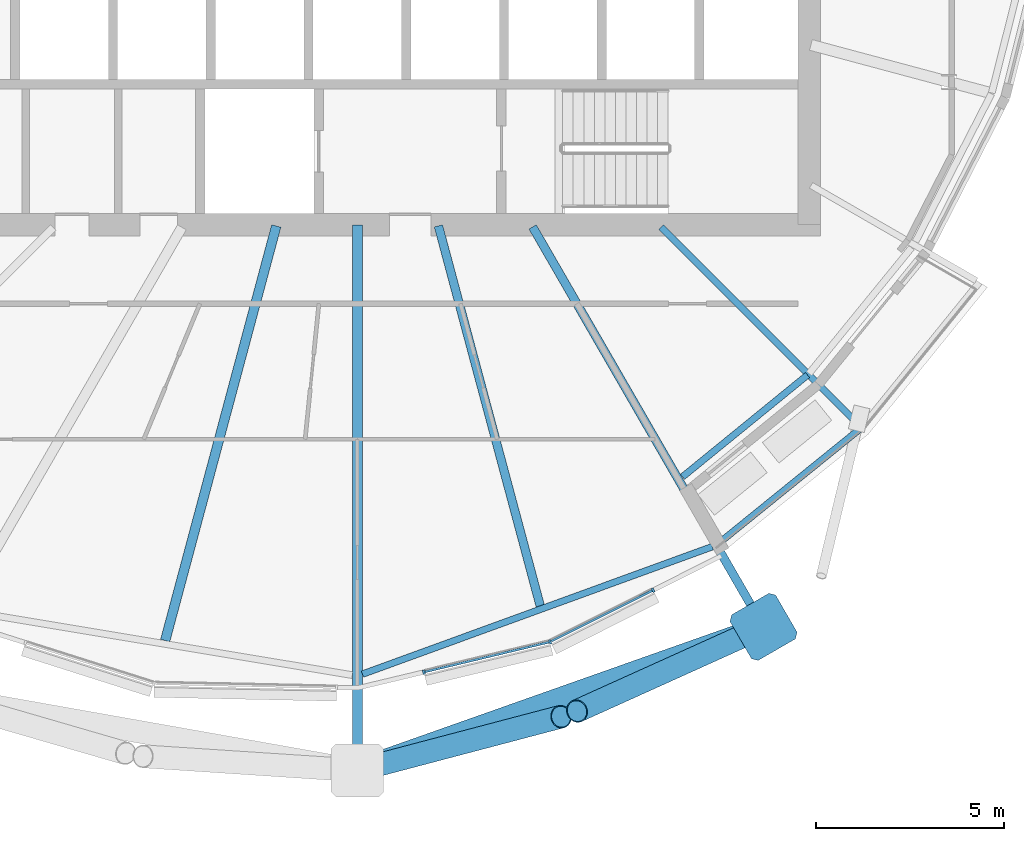
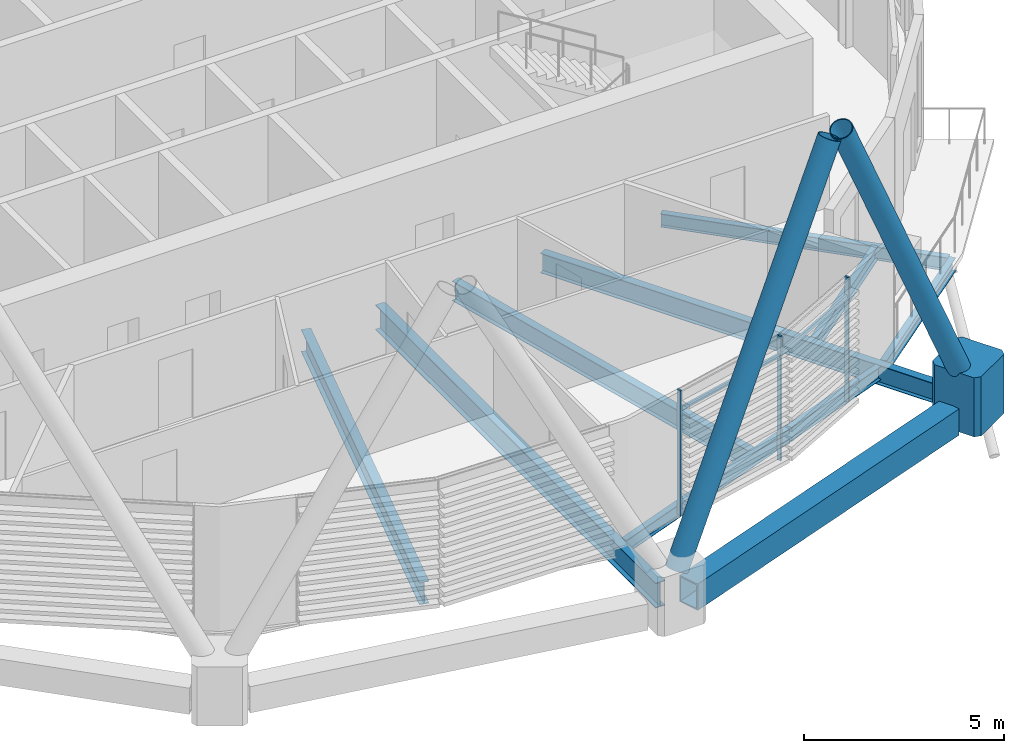
# One storey, part 14 of 36: 9 beams, 8 members, 1 element without a shape of its own.
"""IFC4 building model written with IfcOpenShell, lengths in metres."""

from ifc_helpers import new_model, si_unit, direction, frame, origin, origin_2d, place, context, subcontext, project, spatial, polyline, rectangle, hollow_rectangle, hollow_circle, i_section, outline, extrude, material, material_profile, profile_set, type_object, element, aggregate, save


model = new_model("IFC4")

# Units and contexts
model_context = context("Model", 3, precision=1e-05, world=origin(), true_north=direction((0.0, 1.0)))
body_context = subcontext(model_context, "Body", "Model", "MODEL_VIEW")
ifc_project = project(units=[si_unit("LENGTHUNIT", "METRE"), si_unit("AREAUNIT", "SQUARE_METRE"), si_unit("VOLUMEUNIT", "CUBIC_METRE"), si_unit("PLANEANGLEUNIT", "RADIAN"), si_unit("MASSUNIT", "GRAM", prefix="KILO")], contexts=[model_context])

# Site, building, storey
site_placement = place(None, origin())
site = spatial("IfcSite", under=ifc_project, at=site_placement, CompositionType="ELEMENT")
building_placement = place(site_placement, origin())
building = spatial("IfcBuilding", under=site, at=building_placement, Name="Rimbun Link Towers", CompositionType="ELEMENT")
storey_placement = place(building_placement, frame((0.0, 0.0, 193.10009765625)))
storey = spatial("IfcBuildingStorey", under=building, at=storey_placement, Name="L47", CompositionType="ELEMENT", Elevation=193.10009765625)

# Curtain wall, members
ifc_material_1 = material(Name="Aluminium 6063-T6 and low-iron glass", Category="aluminium")
curtain_wall_type = type_object("IfcCurtainWallType", Name="CW1-Z3 unitised vision wall (zone 3)", PredefinedType="NOTDEFINED", material=ifc_material_1)
curtain_wall_placement = place(storey_placement, origin())
curtain_wall = element("IfcCurtainWall", 1, at=curtain_wall_placement, inside=storey, type_object=curtain_wall_type, Name="CW1 L47 T2", PredefinedType="NOTDEFINED")
ifc_material_2 = material(Name="Aluminium 6063-T6", Category="aluminium")
ifc_material_profile_1 = material_profile(ifc_material_2, rectangle(XDim=0.1201171875, YDim=0.06005859375, at=origin_2d()), Name="MULLION 60X120")
ifc_profile_set_1 = profile_set([ifc_material_profile_1], Name="Aluminium 6063-T6")
member_type_1 = type_object("IfcMemberType", Name="CW1 mullion 60X120", PredefinedType="MULLION", material=ifc_profile_set_1)
member_1_placement = place(storey_placement, frame((36.865966796875, -19.07275390625, 0.0), z_axis=(0.0, 0.0, 1.0), x_axis=(0.342971734757, -0.939345723979, 0.0)))
member_1 = element("IfcMember", 2, at=member_1_placement, type_object=member_type_1, Name="CW1 mullion", PredefinedType="MULLION", context=body_context, shape_type="SweptSolid", body=[
    extrude(rectangle(XDim=0.1201171875, YDim=0.06005859375, at=origin_2d()), origin(), (0.0, 0.0, 1.0), 3.7998046875),
])
member_2_placement = place(storey_placement, frame((33.5146484375, -19.874755859375, 0.0), z_axis=(0.0, 0.0, 1.0), x_axis=(0.23261560244, -0.972568754126, 0.0)))
member_2 = element("IfcMember", 3, at=member_2_placement, type_object=member_type_1, Name="CW1 mullion", PredefinedType="MULLION", context=body_context, shape_type="SweptSolid", body=[
    extrude(rectangle(XDim=0.1201171875, YDim=0.06005859375, at=origin_2d()), origin(), (0.0, 0.0, 1.0), 3.7998046875),
])
member_3_placement = place(storey_placement, frame((39.6015625, -17.699462890625, 0.0), z_axis=(0.0, 0.0, 1.0), x_axis=(0.448772432233, -0.893646073156, 0.0)))
member_3 = element("IfcMember", 4, at=member_3_placement, type_object=member_type_1, Name="CW1 mullion", PredefinedType="MULLION", context=body_context, shape_type="SweptSolid", body=[
    extrude(rectangle(XDim=0.1201171875, YDim=0.06005859375, at=origin_2d()), origin(), (0.0, 0.0, 1.0), 3.7998046875),
])
ifc_material_3 = material(Name="Aluminium 6063-T6", Category="aluminium")
ifc_material_profile_2 = material_profile(ifc_material_3, rectangle(XDim=0.06005859375, YDim=0.1201171875, at=origin_2d()), Name="TRANSOM 60X120")
ifc_profile_set_2 = profile_set([ifc_material_profile_2], Name="Aluminium 6063-T6")
member_type_2 = type_object("IfcMemberType", Name="CW1 transom 60X120", PredefinedType="USERDEFINED", material=ifc_profile_set_2)
member_4_placement = place(storey_placement, frame((36.829833984375, -19.079833984375, 3.199951171875), z_axis=(-0.972581733642, -0.232561328227, 0.0), x_axis=(0.232561328227, -0.972581733642, 0.0)))
member_4 = element("IfcMember", 5, at=member_4_placement, type_object=member_type_2, Name="CW1 transom", ObjectType="TRANSOM", PredefinedType="USERDEFINED", context=body_context, shape_type="SweptSolid", body=[
    extrude(rectangle(XDim=0.06005859375, YDim=0.1201171875, at=origin_2d()), origin(), (0.0, 0.0, 1.0), 3.37939453125),
])
member_5_placement = place(storey_placement, frame((39.573974609375, -17.711181640625, 3.199951171875), z_axis=(-0.893675766865, -0.448713297907, 0.0), x_axis=(0.448713297907, -0.893675766865, 0.0)))
member_5 = element("IfcMember", 6, at=member_5_placement, type_object=member_type_2, Name="CW1 transom", ObjectType="TRANSOM", PredefinedType="USERDEFINED", context=body_context, shape_type="SweptSolid", body=[
    extrude(rectangle(XDim=0.06005859375, YDim=0.1201171875, at=origin_2d()), origin(), (0.0, 0.0, 1.0), 2.994140625),
])
aggregate(curtain_wall, [member_1, member_2, member_3, member_4, member_5])

# Members
ifc_material_4 = material(Name="Steel S355J2H", Category="steel")
ifc_material_profile_3 = material_profile(ifc_material_4, hollow_circle(Radius=0.3046875, WallThickness=0.02490234375, at=origin_2d()), Name="Diagrid diagonal CHS 610x25")
ifc_profile_set_3 = profile_set([ifc_material_profile_3], Name="Steel S355J2H")
member_type_3 = type_object("IfcMemberType", Name="Diagrid diagonal CHS 610x25", PredefinedType="BRACE", material=ifc_profile_set_3)
member_6_placement = place(storey_placement, frame((31.9697265625, -22.42724609375, 0.4453125), z_axis=(0.439677917546, 0.115847372251, 0.890652971232), x_axis=(-0.254786717155, 0.966997274433, 0.0)))
element("IfcMember", 7, at=member_6_placement, inside=storey, type_object=member_type_3, Name="Diagrid diagonal T2 L47-L50 15b", PredefinedType="BRACE", context=body_context, shape_type="SweptSolid", body=[
    extrude(hollow_circle(Radius=0.3046875, WallThickness=0.02490234375, at=origin_2d()), origin(), (0.0, 0.0, 1.0), 11.799560546875),
])
member_7_placement = place(storey_placement, frame((42.3291015625, -18.765869140625, 0.44775390625), z_axis=(-0.405010586719, -0.182933529453, 0.895824619246), x_axis=(0.411634423405, -0.911349055778, 0.0)))
element("IfcMember", 8, at=member_7_placement, inside=storey, type_object=member_type_3, Name="Diagrid diagonal T2 L47-L50 17a", PredefinedType="BRACE", context=body_context, shape_type="SweptSolid", body=[
    extrude(hollow_circle(Radius=0.3046875, WallThickness=0.02490234375, at=origin_2d()), origin(), (0.0, 0.0, 1.0), 11.7255859375),
])
ifc_material_5 = material(Name="Cast steel G20Mn5+QT, Rp0.2 300 MPa", Category="steel")
ifc_material_profile_4 = material_profile(ifc_material_5, outline(polyline([(0.699951171875, -0.570068359375), (0.699951171875, 0.570068359375), (0.570068359375, 0.699951171875), (-0.570068359375, 0.699951171875), (-0.699951171875, 0.570068359375), (-0.699951171875, -0.570068359375), (-0.570068359375, -0.699951171875), (0.570068359375, -0.699951171875), (0.699951171875, -0.570068359375)])), Name="NODE 1400x1400")
ifc_profile_set_4 = profile_set([ifc_material_profile_4], Name="Cast steel G20Mn5+QT, Rp0.2 300 MPa")
member_type_4 = type_object("IfcMemberType", Name="Diagrid node cast 1400", PredefinedType="USERDEFINED", material=ifc_profile_set_4)
member_8_placement = place(storey_placement, frame((42.53173828125, -18.67431640625, -0.900146484375), z_axis=(0.0, 0.0, 1.0), x_axis=(0.5, -0.866025403784, 0.0)))
element("IfcMember", 9, at=member_8_placement, inside=storey, type_object=member_type_4, Name="Diagrid node L47 17", ObjectType="Diagrid node", PredefinedType="USERDEFINED", context=body_context, shape_type="SweptSolid", body=[
    extrude(outline(polyline([(0.699951171875, -0.570068359375), (0.699951171875, 0.570068359375), (0.570068359375, 0.699951171875), (-0.570068359375, 0.699951171875), (-0.699951171875, 0.570068359375), (-0.699951171875, -0.570068359375), (-0.570068359375, -0.699951171875), (0.570068359375, -0.699951171875), (0.699951171875, -0.570068359375)])), origin(), (0.0, 0.0, 1.0), 1.800048828125),
])

# Beams
ifc_material_6 = material(Name="Steel S355J2", Category="steel")
ifc_material_profile_5 = material_profile(ifc_material_6, hollow_rectangle(XDim=0.60009765625, YDim=0.800048828125, WallThickness=0.0400390625, at=origin_2d()), Name="Exoskeleton ring girder BOX 600x800x40")
ifc_profile_set_5 = profile_set([ifc_material_profile_5], Name="Steel S355J2")
beam_type_1 = type_object("IfcBeamType", Name="Exoskeleton ring girder BOX 600x800x40", PredefinedType="BEAM", material=ifc_profile_set_5)
beam_1_placement = place(storey_placement, frame((32.409912109375, -22.251708984375, -0.56005859375), z_axis=(0.942846970669, 0.333226034247, 0.0), x_axis=(-0.333226034247, 0.942846970669, 0.0)))
element("IfcBeam", 10, at=beam_1_placement, inside=storey, type_object=beam_type_1, Name="Exoskeleton ring girder L47 07", PredefinedType="BEAM", context=body_context, shape_type="SweptSolid", body=[
    extrude(hollow_rectangle(XDim=0.60009765625, YDim=0.800048828125, WallThickness=0.0400390625, at=origin_2d()), origin(), (0.0, 0.0, 1.0), 10.03515625),
])
ifc_material_7 = material(Name="Steel S355J2", Category="steel")
ifc_material_profile_6 = material_profile(ifc_material_7, i_section(OverallWidth=0.177978515625, OverallDepth=0.406494140625, WebThickness=0.0078125, FlangeThickness=0.0126953125, at=origin_2d()), Name="UB 406x178x60")
ifc_profile_set_6 = profile_set([ifc_material_profile_6], Name="Steel S355J2")
beam_type_2 = type_object("IfcBeamType", Name="UB 406x178x60", PredefinedType="BEAM", material=ifc_profile_set_6)
beam_2_placement = place(storey_placement, frame((39.813720703125, -8.063720703125, -0.353271484375), z_axis=(0.707106781187, -0.707106781187, 0.0), x_axis=(0.707106781187, 0.707106781187, 0.0)))
element("IfcBeam", 11, at=beam_2_placement, inside=storey, type_object=beam_type_2, Name="Radial beam T2 L47 18", PredefinedType="BEAM", context=body_context, shape_type="SweptSolid", body=[
    extrude(i_section(OverallWidth=0.177978515625, OverallDepth=0.406494140625, WebThickness=0.0078125, FlangeThickness=0.0126953125, at=origin_2d()), origin(), (0.0, 0.0, 1.0), 7.436279296875),
])
beam_3_placement = place(storey_placement, frame((31.88427734375, -19.92919921875, -0.353271484375), z_axis=(0.939599982464, 0.342274557852, 0.0), x_axis=(-0.342274557852, 0.939599982464, 0.0)))
element("IfcBeam", 12, at=beam_3_placement, inside=storey, type_object=beam_type_2, Name="Edge beam T2 L47 15-17", PredefinedType="BEAM", context=body_context, shape_type="SweptSolid", body=[
    extrude(i_section(OverallWidth=0.177978515625, OverallDepth=0.406494140625, WebThickness=0.0078125, FlangeThickness=0.0126953125, at=origin_2d()), origin(), (0.0, 0.0, 1.0), 9.88330078125),
])
beam_4_placement = place(storey_placement, frame((40.38134765625, -14.69189453125, -0.353271484375), z_axis=(0.775391173101, 0.631481217993, 0.0), x_axis=(-0.631481217993, 0.775391173101, 0.0)))
element("IfcBeam", 13, at=beam_4_placement, inside=storey, type_object=beam_type_2, Name="Edge beam T2 L47 17 recess", PredefinedType="BEAM", context=body_context, shape_type="SweptSolid", body=[
    extrude(i_section(OverallWidth=0.177978515625, OverallDepth=0.406494140625, WebThickness=0.0078125, FlangeThickness=0.0126953125, at=origin_2d()), origin(), (0.0, 0.0, 1.0), 4.2802734375),
])
beam_5_placement = place(storey_placement, frame((41.38134765625, -16.4248046875, -0.353271484375), z_axis=(0.777273180196, 0.629163256515, 0.0), x_axis=(-0.629163256515, 0.777273180196, 0.0)))
element("IfcBeam", 14, at=beam_5_placement, inside=storey, type_object=beam_type_2, Name="Edge beam T2 L47 17 terrace", PredefinedType="BEAM", context=body_context, shape_type="SweptSolid", body=[
    extrude(i_section(OverallWidth=0.177978515625, OverallDepth=0.406494140625, WebThickness=0.0078125, FlangeThickness=0.0126953125, at=origin_2d()), origin(), (0.0, 0.0, 1.0), 4.81982421875),
])
ifc_material_8 = material(Name="Steel S355J2", Category="steel")
ifc_material_profile_7 = material_profile(ifc_material_8, i_section(OverallWidth=0.2275390625, OverallDepth=0.6025390625, WebThickness=0.010498046875, FlangeThickness=0.014892578125, at=origin_2d()), Name="UB 610x229x101")
ifc_profile_set_7 = profile_set([ifc_material_profile_7], Name="Steel S355J2")
beam_type_3 = type_object("IfcBeamType", Name="UB 610x229x101", PredefinedType="BEAM", material=ifc_profile_set_7)
beam_6_placement = place(storey_placement, frame((33.901611328125, -8.030517578125, -0.451416015625), z_axis=(0.258838562818, -0.965920596322, 0.0), x_axis=(0.965920596322, 0.258838562818, 0.0)))
element("IfcBeam", 15, at=beam_6_placement, inside=storey, type_object=beam_type_3, Name="Radial beam T2 L47 16", PredefinedType="BEAM", context=body_context, shape_type="SweptSolid", body=[
    extrude(i_section(OverallWidth=0.2275390625, OverallDepth=0.6025390625, WebThickness=0.010498046875, FlangeThickness=0.014892578125, at=origin_2d()), origin(), (0.0, 0.0, 1.0), 10.439453125),
])
beam_7_placement = place(storey_placement, frame((36.402099609375, -8.057861328125, -0.451416015625), z_axis=(0.500008806729, -0.866020319158, 0.0), x_axis=(0.866020319158, 0.500008806729, 0.0)))
element("IfcBeam", 16, at=beam_7_placement, inside=storey, type_object=beam_type_3, Name="Radial beam T2 L47 17", PredefinedType="BEAM", context=body_context, shape_type="SweptSolid", body=[
    extrude(i_section(OverallWidth=0.2275390625, OverallDepth=0.6025390625, WebThickness=0.010498046875, FlangeThickness=0.014892578125, at=origin_2d()), origin(), (0.0, 0.0, 1.0), 11.759033203125),
])
ifc_material_9 = material(Name="Steel S355J2", Category="steel")
ifc_material_profile_8 = material_profile(ifc_material_9, i_section(OverallWidth=0.253662109375, OverallDepth=0.68359375, WebThickness=0.012451171875, FlangeThickness=0.01904296875, at=origin_2d()), Name="UB 686x254x140")
ifc_profile_set_8 = profile_set([ifc_material_profile_8], Name="Steel S355J2")
beam_type_4 = type_object("IfcBeamType", Name="UB 686x254x140", PredefinedType="BEAM", material=ifc_profile_set_8)
beam_8_placement = place(storey_placement, frame((29.597412109375, -8.03369140625, -0.491943359375), z_axis=(-0.258828204443, -0.965923372005, 0.0), x_axis=(0.965923372005, -0.258828204443, 0.0)))
element("IfcBeam", 17, at=beam_8_placement, inside=storey, type_object=beam_type_4, Name="Radial beam T2 L47 14", PredefinedType="BEAM", context=body_context, shape_type="SweptSolid", body=[
    extrude(i_section(OverallWidth=0.253662109375, OverallDepth=0.68359375, WebThickness=0.012451171875, FlangeThickness=0.01904296875, at=origin_2d()), origin(), (0.0, 0.0, 1.0), 11.392578125),
])
ifc_material_10 = material(Name="Steel S355J2", Category="steel")
ifc_material_profile_9 = material_profile(ifc_material_10, i_section(OverallWidth=0.2666015625, OverallDepth=0.76220703125, WebThickness=0.014404296875, FlangeThickness=0.021484375, at=origin_2d()), Name="UB 762x267x173")
ifc_profile_set_9 = profile_set([ifc_material_profile_9], Name="Steel S355J2")
beam_type_5 = type_object("IfcBeamType", Name="UB 762x267x173", PredefinedType="BEAM", material=ifc_profile_set_9)
beam_9_placement = place(storey_placement, frame((31.75, -8.0009765625, -0.53125), z_axis=(0.0, -1.0, 0.0), x_axis=(1.0, 0.0, 0.0)))
element("IfcBeam", 18, at=beam_9_placement, inside=storey, type_object=beam_type_5, Name="Radial beam T2 L47 15", PredefinedType="BEAM", context=body_context, shape_type="SweptSolid", body=[
    extrude(i_section(OverallWidth=0.2666015625, OverallDepth=0.76220703125, WebThickness=0.014404296875, FlangeThickness=0.021484375, at=origin_2d()), origin(), (0.0, 0.0, 1.0), 13.984130859375),
])

save(model, "model.ifc")
